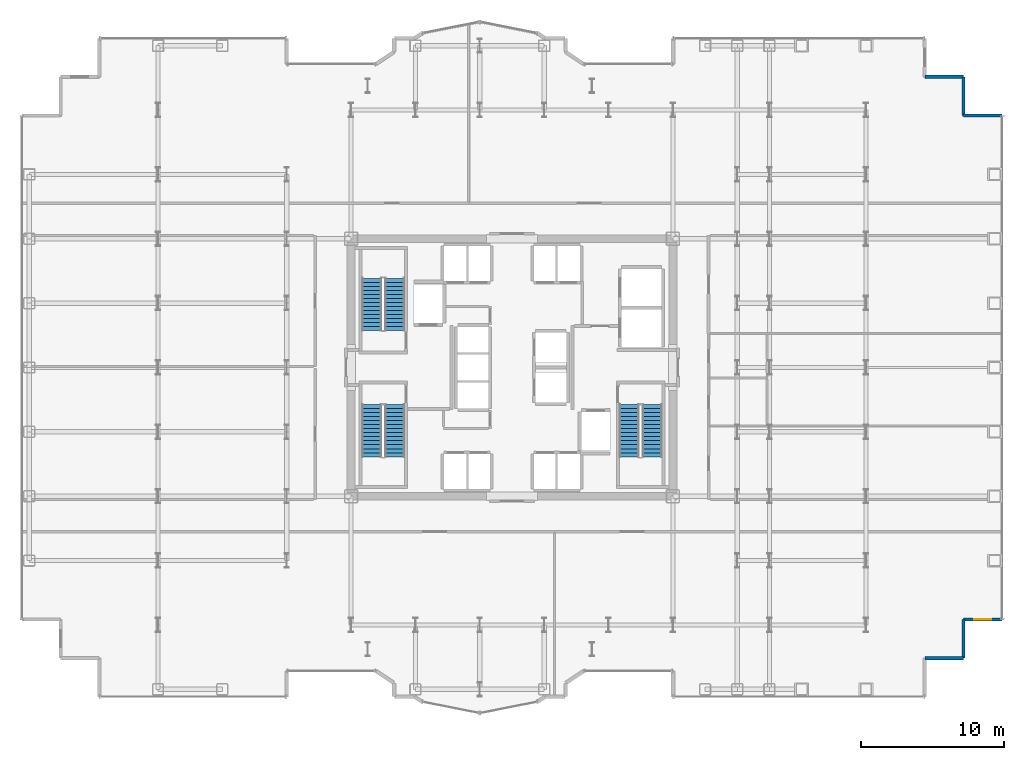
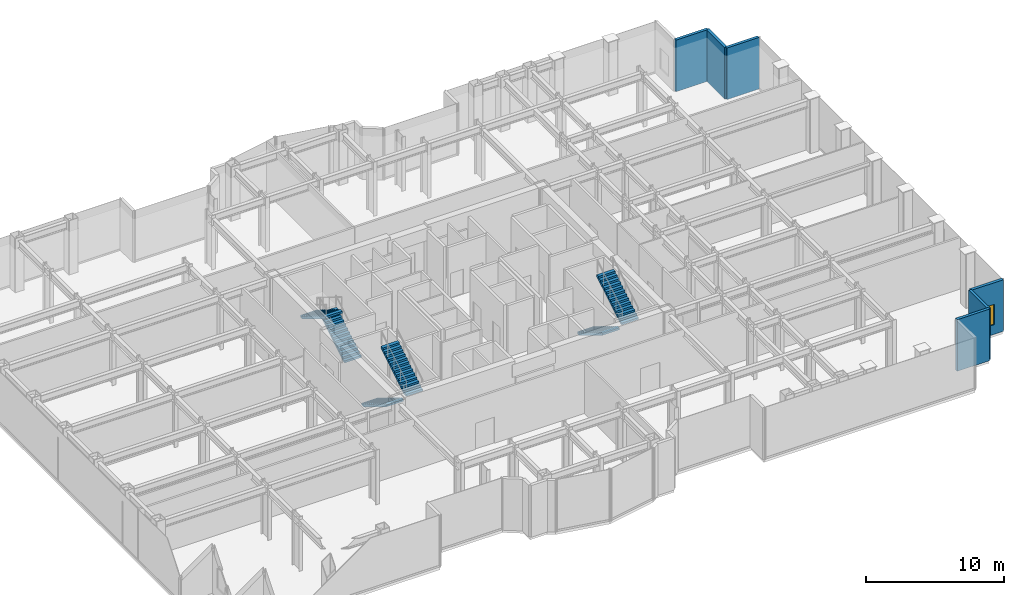
# One storey, part 24 of 27: 6 stair flights, 6 walls, 1 window, 1 opening, 3 elements without a shape of their own.
"""IFC4 building model written with IfcOpenShell, lengths in metres."""

import ifcopenshell
import ifcopenshell.guid

model = None  # the IFC model being written
_history = None  # IfcOwnerHistory: only IFC2X3 demands one
_inside = {}  # id of a spatial element -> (the spatial element, [elements in it])
_under = {}  # id of a project, library or spatial element -> (it, [spatial elements below it])
_declared = {}  # id of a project -> (the project, [libraries it declares])
_typed = {}  # id of a type object -> (the type object, [elements of that type])
_made_of = {}  # id of a material, layer set ... -> (it, [elements and type objects made of it])


def new_model(schema):
    """Start an empty IFC model of exactly this schema.

    Asked for "IFC4X3", IfcOpenShell would pick the latest addendum, in which some entities
    have other attributes; the version numbers below select the first issue.
    IFC2X3 requires an IfcOwnerHistory on every rooted entity: one is made here for all.
    """
    global model, _history
    if schema == "IFC4X3":
        model = ifcopenshell.file(schema_version=(4, 3, 0, 0))
    else:
        model = ifcopenshell.file(schema=schema)
    _inside.clear()
    _under.clear()
    _declared.clear()
    _typed.clear()
    _made_of.clear()
    _history = None
    if model.schema == "IFC2X3":
        org = make("IfcOrganization", Name="unknown")
        user = make(
            "IfcPersonAndOrganization",
            ThePerson=make("IfcPerson", FamilyName="unknown"),
            TheOrganization=org,
        )
        app = make(
            "IfcApplication",
            ApplicationDeveloper=org,
            Version="unknown",
            ApplicationFullName="unknown",
            ApplicationIdentifier="unknown",
        )
        _history = make(
            "IfcOwnerHistory",
            OwningUser=user,
            OwningApplication=app,
            ChangeAction="ADDED",
            CreationDate=0,
        )
    return model


def make(cls, **values):
    """One entity of the class cls with the attributes given. An attribute that is None is left unset."""
    return model.create_entity(
        cls, **{name: value for name, value in values.items() if value is not None}
    )


def rooted(cls, **values):
    """An entity with a GlobalId (a new one), such as an element, a storey or a relation."""
    return make(cls, GlobalId=ifcopenshell.guid.new(), OwnerHistory=_history, **values)


def si_unit(unit_type, name, prefix=None):
    """IfcSIUnit, for example si_unit("LENGTHUNIT", "METRE", prefix="MILLI")."""
    return make("IfcSIUnit", UnitType=unit_type, Prefix=prefix, Name=name)


def assignment(units):
    """IfcUnitAssignment: the units of a project."""
    return None if units is None else make("IfcUnitAssignment", Units=units)


def point(xyz):
    """IfcCartesianPoint."""
    return None if xyz is None else make("IfcCartesianPoint", Coordinates=xyz)


def direction(xyz):
    """IfcDirection."""
    return None if xyz is None else make("IfcDirection", DirectionRatios=xyz)


def frame(location, z_axis=None, x_axis=None):
    """IfcAxis2Placement3D, a coordinate frame: its origin and axes. An axis left out is left unset."""
    return make(
        "IfcAxis2Placement3D",
        Location=point(location),
        Axis=direction(z_axis),
        RefDirection=direction(x_axis),
    )


def frame_2d(location, x_axis=None):
    """IfcAxis2Placement2D, a coordinate frame in the plane: its origin and x axis."""
    return make(
        "IfcAxis2Placement2D", Location=point(location), RefDirection=direction(x_axis)
    )


def origin():
    """The frame at (0, 0, 0) with its axes left unset."""
    return frame((0.0, 0.0, 0.0))


def place(relative_to, where):
    """IfcLocalPlacement: puts the frame where relative to a parent placement (None: the world)."""
    return make(
        "IfcLocalPlacement", PlacementRelTo=relative_to, RelativePlacement=where
    )


def context(
    kind, dimensions, precision=None, world=None, true_north=None, identifier=None
):
    """IfcGeometricRepresentationContext, for example the 3D "Model" context."""
    return make(
        "IfcGeometricRepresentationContext",
        ContextIdentifier=identifier,
        ContextType=kind,
        CoordinateSpaceDimension=dimensions,
        Precision=precision,
        WorldCoordinateSystem=world,
        TrueNorth=true_north,
    )


def subcontext(parent, identifier, kind, view, scale=None):
    """IfcGeometricRepresentationSubContext, for example "Body" below "Model"."""
    return make(
        "IfcGeometricRepresentationSubContext",
        ContextIdentifier=identifier,
        ContextType=kind,
        ParentContext=parent,
        TargetScale=scale,
        TargetView=view,
    )


def project(units=None, contexts=None):
    """IfcProject with its units and contexts."""
    return rooted(
        "IfcProject",
        Name="project",
        RepresentationContexts=contexts,
        UnitsInContext=assignment(units),
    )


def spatial(cls, under=None, at=None, **own):
    """A site, building, storey or space (cls), placed at a placement, below another one or the project."""
    s = rooted(cls, ObjectPlacement=at, **own)
    if under is not None:
        _under.setdefault(under.id(), (under, []))[1].append(s)
    return s


def polyline(points):
    """IfcPolyline through the points."""
    return make("IfcPolyline", Points=[point(p) for p in points])


def profile(cls, at=None, kind="AREA", **sizes):
    """A parametric profile (cls). Its sizes go by their IFC names, for example OverallWidth=200.0."""
    return make(cls, ProfileType=kind, Position=at, **sizes)


def rectangle(**sizes):
    """IfcRectangleProfileDef."""
    return profile("IfcRectangleProfileDef", **sizes)


def outline(outer, holes=None, kind="AREA"):
    """IfcArbitraryClosedProfileDef: a profile drawn as a closed curve; with holes, ...WithVoids."""
    if holes is None:
        return make("IfcArbitraryClosedProfileDef", ProfileType=kind, OuterCurve=outer)
    return make(
        "IfcArbitraryProfileDefWithVoids",
        ProfileType=kind,
        OuterCurve=outer,
        InnerCurves=holes,
    )


def extrude(swept, where, along, depth):
    """IfcExtrudedAreaSolid: the profile swept, set in the frame where, extruded along a direction by depth."""
    return make(
        "IfcExtrudedAreaSolid",
        SweptArea=swept,
        Position=where,
        ExtrudedDirection=direction(along),
        Depth=depth,
    )


def shape(context_of_items, identifier, shape_type, items):
    """IfcShapeRepresentation: the items that make up one representation, for example the "Body"."""
    return make(
        "IfcShapeRepresentation",
        ContextOfItems=context_of_items,
        RepresentationIdentifier=identifier,
        RepresentationType=shape_type,
        Items=items,
    )


def source(mapping_origin, context_of_items, identifier, shape_type, items):
    """IfcRepresentationMap: a shape defined once, which mapped items show again and again."""
    return make(
        "IfcRepresentationMap",
        MappingOrigin=mapping_origin,
        MappedRepresentation=shape(context_of_items, identifier, shape_type, items),
    )


def transform(
    local_origin,
    x_axis=None,
    y_axis=None,
    z_axis=None,
    scale=None,
    scale2=None,
    scale3=None,
    uniform=True,
):
    """IfcCartesianTransformationOperator3D, or its non-uniform kind. x_axis, y_axis, z_axis: its Axis1, 2, 3."""
    if uniform:
        return make(
            "IfcCartesianTransformationOperator3D",
            Axis1=direction(x_axis),
            Axis2=direction(y_axis),
            LocalOrigin=point(local_origin),
            Scale=scale,
            Axis3=direction(z_axis),
        )
    return make(
        "IfcCartesianTransformationOperator3DnonUniform",
        Axis1=direction(x_axis),
        Axis2=direction(y_axis),
        LocalOrigin=point(local_origin),
        Scale=scale,
        Axis3=direction(z_axis),
        Scale2=scale2,
        Scale3=scale3,
    )


def mapped(mapping_source, mapping_target):
    """IfcMappedItem: shows the shape of a source again, moved by a transform."""
    return make(
        "IfcMappedItem", MappingSource=mapping_source, MappingTarget=mapping_target
    )


def material(Name=None, Category=None):
    """IfcMaterial."""
    return make("IfcMaterial", Name=Name, Category=Category)


def layer(
    of_material, thickness, ventilated=None, Name=None, Category=None, Priority=None
):
    """IfcMaterialLayer: one layer of a wall or slab, of a material (None: an air gap)."""
    return make(
        "IfcMaterialLayer",
        Material=of_material,
        LayerThickness=thickness,
        IsVentilated=ventilated,
        Name=Name,
        Category=Category,
        Priority=Priority,
    )


def layer_set(layers, Name=None):
    """IfcMaterialLayerSet."""
    return make("IfcMaterialLayerSet", MaterialLayers=layers, LayerSetName=Name)


def made_of(thing, what):
    """Note that an element or type object is made of a material, layer set ...; save() writes the relation."""
    if what is not None:
        _made_of.setdefault(what.id(), (what, []))[1].append(thing)
    return thing


def type_object(cls, material=None, **own):
    """A type object (cls), such as IfcWallType, which elements share."""
    return made_of(rooted(cls, **own), material)


def element(
    cls,
    number,
    at=None,
    inside=None,
    cuts=None,
    type_object=None,
    material=None,
    context=None,
    identifier="Body",
    shape_type=None,
    held_by="IfcProductDefinitionShape",
    body=None,
    shapes=None,
    **own,
):
    """One element of the class cls, such as IfcWall. Its Tag is "e" and its number.

    at: its placement. inside: the storey or other place that contains it. cuts: it is an
    opening in that element (IfcRelVoidsElement). A single representation is given by context,
    identifier, shape_type and body (its items); several are given by shapes. held_by: the class
    of the entity that holds the representations. save() writes the other relations.
    """
    e = rooted(cls, Tag="e%d" % number, ObjectPlacement=at, **own)
    if body is not None:
        shapes = [shape(context, identifier, shape_type, body)]
    if shapes is not None:
        e.Representation = make(held_by, Representations=shapes)
    if inside is not None:
        _inside.setdefault(inside.id(), (inside, []))[1].append(e)
    if cuts is not None:
        rooted(
            "IfcRelVoidsElement", RelatingBuildingElement=cuts, RelatedOpeningElement=e
        )
    if type_object is not None:
        _typed.setdefault(type_object.id(), (type_object, []))[1].append(e)
    return made_of(e, material)


def fill(opening, filler):
    """IfcRelFillsElement: the door or window that sits in an opening."""
    return rooted(
        "IfcRelFillsElement",
        RelatingOpeningElement=opening,
        RelatedBuildingElement=filler,
    )


def aggregate(whole, parts):
    """IfcRelAggregates: a whole, such as a stair, and the parts it consists of."""
    return rooted("IfcRelAggregates", RelatingObject=whole, RelatedObjects=parts)


def save(model, path):
    """Write the relations noted so far, then the file.

    IfcRelAggregates (storeys below a building ...), IfcRelContainedInSpatialStructure (elements
    in a storey), IfcRelDefinesByType, IfcRelAssociatesMaterial and IfcRelDeclares: one each for
    every whole, place, type object, material and project.
    """
    for whole, parts in _under.values():
        aggregate(whole, parts)
    for where, things in _inside.values():
        rooted(
            "IfcRelContainedInSpatialStructure",
            RelatedElements=things,
            RelatingStructure=where,
        )
    for kind, things in _typed.values():
        rooted("IfcRelDefinesByType", RelatedObjects=things, RelatingType=kind)
    for what, things in _made_of.values():
        rooted("IfcRelAssociatesMaterial", RelatedObjects=things, RelatingMaterial=what)
    for by, libraries in _declared.values():
        rooted("IfcRelDeclares", RelatingContext=by, RelatedDefinitions=libraries)
    model.write(path)


model = new_model("IFC4")

# Units and contexts
model_context = context("Model", 3, precision=1e-05, world=origin(), true_north=direction((0.0, 1.0)))
body_context = subcontext(model_context, "Body", "Model", "MODEL_VIEW")
ifc_project = project(units=[si_unit("LENGTHUNIT", "METRE"), si_unit("AREAUNIT", "SQUARE_METRE"), si_unit("VOLUMEUNIT", "CUBIC_METRE"), si_unit("PLANEANGLEUNIT", "RADIAN"), si_unit("MASSUNIT", "GRAM", prefix="KILO")], contexts=[model_context])

# Site, building, storey
site_placement = place(None, origin())
site = spatial("IfcSite", under=ifc_project, at=site_placement, CompositionType="ELEMENT")
building_placement = place(site_placement, origin())
building = spatial("IfcBuilding", under=site, at=building_placement, Name="Nefas-Gora Pilgrimage Tower", CompositionType="ELEMENT")
storey_placement = place(building_placement, frame((0.0, 0.0, 144.0)))
storey = spatial("IfcBuildingStorey", under=building, at=storey_placement, Name="L35", CompositionType="ELEMENT", Elevation=144.0)

# Walls
ifc_material_1 = material(Name="Precast concrete C45/55", Category="concrete")
ifc_layer = layer(ifc_material_1, 0.239990234375)
ifc_layer_set = layer_set([ifc_layer], Name="Precast concrete C45/55")
wall_type = type_object("IfcWallType", Name="EW-SERR-240", PredefinedType="SHEAR", material=ifc_layer_set)
shared_shape_1 = source(origin(), body_context, "Body", "SweptSolid", [
    extrude(rectangle(XDim=2.699951171875, YDim=0.239990234375, at=frame_2d((1.35009765625, 0.0))), origin(), (0.0, 0.0, 1.0), 4.550048828125),
])
for number, where, z_axis, x_axis, name in (
    (1, (28.8701171875, -20.320068359375, 0.0), (0.0, 0.0, 1.0), (1.0, 0.0, 0.0), "L35 Serrated Corner Shear Pier Wall 3"),
    (2, (31.570068359375, -20.320068359375, 0.0), (0.0, 0.0, 1.0), (0.0, 1.0, 0.0), "L35 Serrated Corner Shear Pier Wall 4"),
):
    element("IfcWall", number, at=place(storey_placement, frame(where, z_axis=z_axis, x_axis=x_axis)), inside=storey, type_object=wall_type, Name=name, PredefinedType="SHEAR", context=body_context, shape_type="MappedRepresentation", body=[
        mapped(shared_shape_1, transform((0.0, 0.0, 0.0), x_axis=(1.0, 0.0, 0.0), y_axis=(0.0, 1.0, 0.0), z_axis=(0.0, 0.0, 1.0), scale=1.0)),
    ])

# Wall, opening, window
wall_placement = place(storey_placement, frame((31.570068359375, -17.6201171875, 0.0), z_axis=(0.0, 0.0, 1.0), x_axis=(1.0, 0.0, 0.0)))
wall = element("IfcWall", 3, at=wall_placement, inside=storey, type_object=wall_type, Name="L35 Serrated Corner Shear Pier Wall 5", PredefinedType="SHEAR", context=body_context, shape_type="MappedRepresentation", body=[
    mapped(shared_shape_1, transform((0.0, 0.0, 0.0), x_axis=(1.0, 0.0, 0.0), y_axis=(0.0, 1.0, 0.0), z_axis=(0.0, 0.0, 1.0), scale=1.0)),
])
opening_placement = place(wall_placement, frame((0.75, 0.0, 0.85009765625)))
opening = element("IfcOpeningElement", 4, at=opening_placement, cuts=wall, Name="Opening W-V1", PredefinedType="OPENING", context=body_context, shape_type="SweptSolid", body=[
    extrude(rectangle(XDim=1.199951171875, YDim=1.800048828125, at=frame_2d((0.60009765625, 0.89990234375))), frame((0.0, 0.1298828125, 0.0), z_axis=(0.0, -1.0, 0.0), x_axis=(1.0, 0.0, 0.0)), (0.0, 0.0, 1.0), 0.260009765625),
])
ifc_material_2 = material(Name="Dark ceramic-fritted operable aluminium-glass window", Category="aluminium")
window_type = type_object("IfcWindowType", Name="WIN-VENT-1200x1800", PartitioningType="SINGLE_PANEL", PredefinedType="WINDOW", material=ifc_material_2)
shared_shape_2 = source(origin(), body_context, "Body", "SweptSolid", [
    extrude(rectangle(XDim=1.199951171875, YDim=1.800048828125, at=frame_2d((0.60009765625, 0.89990234375))), frame((0.0, 0.030029296875, 0.0), z_axis=(0.0, -1.0, 0.0), x_axis=(1.0, 0.0, 0.0)), (0.0, 0.0, 1.0), 0.06005859375),
])
window_placement = place(opening_placement, origin())
window = element("IfcWindow", 5, at=window_placement, inside=storey, type_object=window_type, Name="L35 Operable Parallel-Outswing Window 5", OverallHeight=1.800048828125, OverallWidth=1.199951171875, PartitioningType="SINGLE_PANEL", PredefinedType="WINDOW", context=body_context, shape_type="MappedRepresentation", body=[
    mapped(shared_shape_2, transform((0.0, 0.0, 0.0), x_axis=(1.0, 0.0, 0.0), y_axis=(0.0, 1.0, 0.0), z_axis=(0.0, 0.0, 1.0), scale=1.0)),
])
fill(opening, window)

# Walls
for number, where, z_axis, x_axis, name in (
    (6, (34.27001953125, 17.6201171875, 0.0), (0.0, 0.0, 1.0), (-1.0, 0.0, 0.0), "L35 Serrated Corner Shear Pier Wall 6"),
    (7, (31.570068359375, 17.6201171875, 0.0), (0.0, 0.0, 1.0), (0.0, 1.0, 0.0), "L35 Serrated Corner Shear Pier Wall 7"),
    (8, (31.570068359375, 20.320068359375, 0.0), (0.0, 0.0, 1.0), (-1.0, 0.0, 0.0), "L35 Serrated Corner Shear Pier Wall 8"),
):
    element("IfcWall", number, at=place(storey_placement, frame(where, z_axis=z_axis, x_axis=x_axis)), inside=storey, type_object=wall_type, Name=name, PredefinedType="SHEAR", context=body_context, shape_type="MappedRepresentation", body=[
        mapped(shared_shape_1, transform((0.0, 0.0, 0.0), x_axis=(1.0, 0.0, 0.0), y_axis=(0.0, 1.0, 0.0), z_axis=(0.0, 0.0, 1.0), scale=1.0)),
    ])

# Stair, stair flights
ifc_material_3 = material(Name="Concrete C45/55", Category="concrete")
stair_type = type_object("IfcStairType", Name="STR-1400-R1714", PredefinedType="HALF_TURN_STAIR", material=ifc_material_3)
stair_1_placement = place(storey_placement, origin())
stair_1 = element("IfcStair", 9, at=stair_1_placement, inside=storey, type_object=stair_type, Name="L35 Pressurised Tower Exit Stair ST-01", PredefinedType="HALF_TURN_STAIR")
stair_flight_type = type_object("IfcStairFlightType", Name="STF-1400-R1714", PredefinedType="STRAIGHT", material=ifc_material_3)
shared_shape_3 = source(origin(), body_context, "Body", "SweptSolid", [
    extrude(outline(polyline([(0.0, 0.0), (0.0, 0.17138671875), (0.280029296875, 0.17138671875), (0.280029296875, 0.3427734375), (0.56005859375, 0.3427734375), (0.56005859375, 0.514404296875), (0.840087890625, 0.514404296875), (0.840087890625, 0.685791015625), (1.1201171875, 0.685791015625), (1.1201171875, 0.857177734375), (1.39990234375, 0.857177734375), (1.39990234375, 1.028564453125), (1.679931640625, 1.028564453125), (1.679931640625, 1.199951171875), (1.9599609375, 1.199951171875), (1.9599609375, 1.371337890625), (2.239990234375, 1.371337890625), (2.239990234375, 1.54296875), (2.52001953125, 1.54296875), (2.52001953125, 1.71435546875), (2.800048828125, 1.71435546875), (2.800048828125, 1.8857421875), (3.080078125, 1.8857421875), (3.080078125, 2.05712890625), (3.360107421875, 2.05712890625), (3.360107421875, 2.228515625), (3.639892578125, 2.228515625), (3.639892578125, 2.39990234375), (3.639892578125, 2.052734375), (0.287109375, 0.0), (0.0, 0.0)])), frame((0.0, 0.699951171875, 0.0), z_axis=(0.0, -1.0, 0.0), x_axis=(1.0, 0.0, 0.0)), (0.0, 0.0, 1.0), 1.39990234375),
])
stair_flight_1_placement = place(storey_placement, frame((-8.199951171875, 2.60009765625, 0.0), z_axis=(0.0, 0.0, 1.0), x_axis=(0.0, 1.0, 0.0)))
stair_flight_1 = element("IfcStairFlight", 10, at=stair_flight_1_placement, type_object=stair_flight_type, Name="ST-01 flight 1", NumberOfRisers=14, NumberOfTreads=13, PredefinedType="STRAIGHT", RiserHeight=0.171428571, TreadLength=0.28, context=body_context, shape_type="MappedRepresentation", body=[
    mapped(shared_shape_3, transform((0.0, 0.0, 0.0), x_axis=(1.0, 0.0, 0.0), y_axis=(0.0, 1.0, 0.0), z_axis=(0.0, 0.0, 1.0), scale=1.0)),
])
stair_flight_2_placement = place(storey_placement, frame((-9.800048828125, 6.239990234375, 2.39990234375), z_axis=(0.0, 0.0, 1.0), x_axis=(0.0, -1.0, 0.0)))
stair_flight_2 = element("IfcStairFlight", 11, at=stair_flight_2_placement, type_object=stair_flight_type, Name="ST-01 flight 2", NumberOfRisers=14, NumberOfTreads=13, PredefinedType="STRAIGHT", RiserHeight=0.171428571, TreadLength=0.28, context=body_context, shape_type="MappedRepresentation", body=[
    mapped(shared_shape_3, transform((0.0, 0.0, 0.0), x_axis=(1.0, 0.0, 0.0), y_axis=(0.0, 1.0, 0.0), z_axis=(0.0, 0.0, 1.0), scale=1.0)),
])
aggregate(stair_1, [stair_flight_1, stair_flight_2])

stair_2_placement = place(storey_placement, origin())
stair_2 = element("IfcStair", 12, at=stair_2_placement, inside=storey, type_object=stair_type, Name="L35 Pressurised Tower Exit Stair ST-02", PredefinedType="HALF_TURN_STAIR")
stair_flight_3_placement = place(storey_placement, frame((8.199951171875, -2.60009765625, 0.0), z_axis=(0.0, 0.0, 1.0), x_axis=(0.0, -1.0, 0.0)))
stair_flight_3 = element("IfcStairFlight", 13, at=stair_flight_3_placement, type_object=stair_flight_type, Name="ST-02 flight 1", NumberOfRisers=14, NumberOfTreads=13, PredefinedType="STRAIGHT", RiserHeight=0.171428571, TreadLength=0.28, context=body_context, shape_type="MappedRepresentation", body=[
    mapped(shared_shape_3, transform((0.0, 0.0, 0.0), x_axis=(1.0, 0.0, 0.0), y_axis=(0.0, 1.0, 0.0), z_axis=(0.0, 0.0, 1.0), scale=1.0)),
])
stair_flight_4_placement = place(storey_placement, frame((9.800048828125, -6.239990234375, 2.39990234375), z_axis=(0.0, 0.0, 1.0), x_axis=(0.0, 1.0, 0.0)))
stair_flight_4 = element("IfcStairFlight", 14, at=stair_flight_4_placement, type_object=stair_flight_type, Name="ST-02 flight 2", NumberOfRisers=14, NumberOfTreads=13, PredefinedType="STRAIGHT", RiserHeight=0.171428571, TreadLength=0.28, context=body_context, shape_type="MappedRepresentation", body=[
    mapped(shared_shape_3, transform((0.0, 0.0, 0.0), x_axis=(1.0, 0.0, 0.0), y_axis=(0.0, 1.0, 0.0), z_axis=(0.0, 0.0, 1.0), scale=1.0)),
])
aggregate(stair_2, [stair_flight_3, stair_flight_4])

stair_3_placement = place(storey_placement, origin())
stair_3 = element("IfcStair", 15, at=stair_3_placement, inside=storey, type_object=stair_type, Name="L35 Pressurised Tower Exit Stair ST-03", PredefinedType="HALF_TURN_STAIR")
stair_flight_5_placement = place(storey_placement, frame((-9.800048828125, -2.60009765625, 0.0), z_axis=(0.0, 0.0, 1.0), x_axis=(0.0, -1.0, 0.0)))
stair_flight_5 = element("IfcStairFlight", 16, at=stair_flight_5_placement, type_object=stair_flight_type, Name="ST-03 flight 1", NumberOfRisers=14, NumberOfTreads=13, PredefinedType="STRAIGHT", RiserHeight=0.171428571, TreadLength=0.28, context=body_context, shape_type="MappedRepresentation", body=[
    mapped(shared_shape_3, transform((0.0, 0.0, 0.0), x_axis=(1.0, 0.0, 0.0), y_axis=(0.0, 1.0, 0.0), z_axis=(0.0, 0.0, 1.0), scale=1.0)),
])
stair_flight_6_placement = place(storey_placement, frame((-8.199951171875, -6.239990234375, 2.39990234375), z_axis=(0.0, 0.0, 1.0), x_axis=(0.0, 1.0, 0.0)))
stair_flight_6 = element("IfcStairFlight", 17, at=stair_flight_6_placement, type_object=stair_flight_type, Name="ST-03 flight 2", NumberOfRisers=14, NumberOfTreads=13, PredefinedType="STRAIGHT", RiserHeight=0.171428571, TreadLength=0.28, context=body_context, shape_type="MappedRepresentation", body=[
    mapped(shared_shape_3, transform((0.0, 0.0, 0.0), x_axis=(1.0, 0.0, 0.0), y_axis=(0.0, 1.0, 0.0), z_axis=(0.0, 0.0, 1.0), scale=1.0)),
])
aggregate(stair_3, [stair_flight_5, stair_flight_6])

save(model, "model.ifc")
